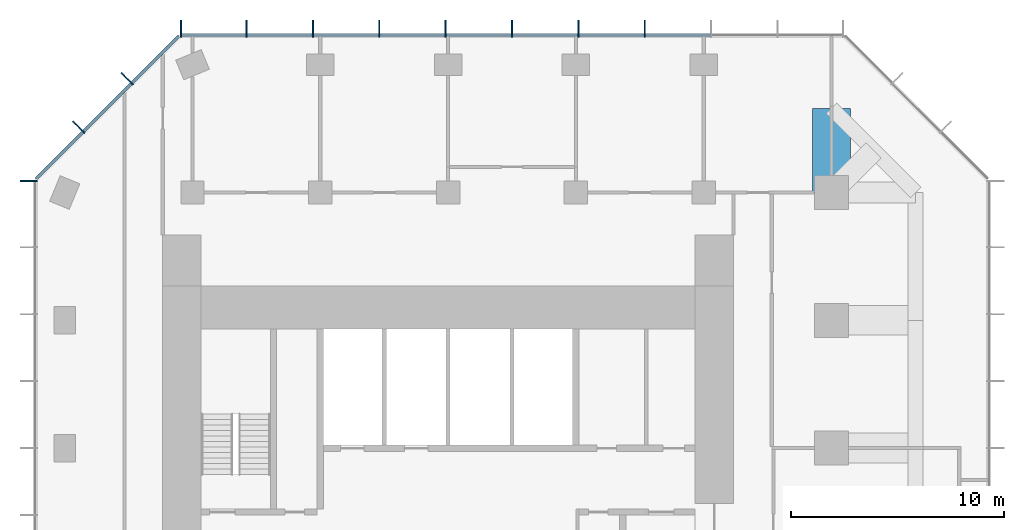
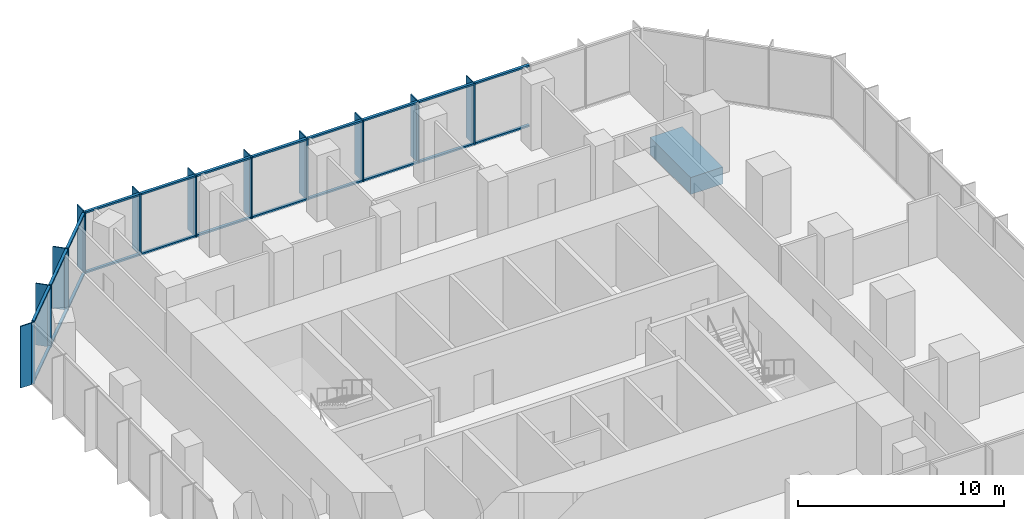
# One storey, part 5 of 10: 44 members, 1 beam, 3 elements without a shape of their own.
"""IFC4 building model written with IfcOpenShell, lengths in metres."""

from ifc_helpers import new_model, si_unit, direction, frame, origin, origin_2d, place, context, subcontext, project, spatial, rectangle, extrude, material, layer, layer_set, material_profile, profile_set, type_object, element, aggregate, save


model = new_model("IFC4")

# Units and contexts
model_context = context("Model", 3, precision=1e-05, world=origin(), true_north=direction((0.0, 1.0)))
body_context = subcontext(model_context, "Body", "Model", "MODEL_VIEW")
ifc_project = project(units=[si_unit("LENGTHUNIT", "METRE"), si_unit("AREAUNIT", "SQUARE_METRE"), si_unit("VOLUMEUNIT", "CUBIC_METRE"), si_unit("PLANEANGLEUNIT", "RADIAN"), si_unit("MASSUNIT", "GRAM", prefix="KILO")], contexts=[model_context])

# Site, building, storey
site_placement = place(None, origin())
site = spatial("IfcSite", under=ifc_project, at=site_placement, CompositionType="ELEMENT")
building_placement = place(site_placement, origin())
building = spatial("IfcBuilding", under=site, at=building_placement, Name="Highveld Stack Headquarters", CompositionType="ELEMENT")
storey_placement = place(building_placement, frame((0.0, 0.0, 245.0)))
storey = spatial("IfcBuildingStorey", under=building, at=storey_placement, Name="L60", CompositionType="ELEMENT", Elevation=245.0)

# Beam
ifc_material_1 = material(Name="Concrete C60/75", Category="concrete")
ifc_material_profile_1 = material_profile(ifc_material_1, rectangle(XDim=1.800048828125, YDim=1.0, at=origin_2d()), Name="RC 1800x1000")
ifc_profile_set_1 = profile_set([ifc_material_profile_1], Name="Concrete C60/75")
beam_type = type_object("IfcBeamType", Name="CANTILEVER RIB RC 1800x1000", PredefinedType="USERDEFINED", material=ifc_profile_set_1)
beam_placement = place(storey_placement, frame((24.0, 18.0, -0.75), z_axis=(0.0, 1.0, 0.0), x_axis=(-1.0, 0.0, 0.0)))
element("IfcBeam", 1, at=beam_placement, inside=storey, type_object=beam_type, Name="Cantilever rib 10/H L60", ObjectType="CANTILEVER RIB", PredefinedType="USERDEFINED", context=body_context, shape_type="SweptSolid", body=[
    extrude(rectangle(XDim=1.800048828125, YDim=1.0, at=origin_2d()), origin(), (0.0, 0.0, 1.0), 3.949951171875),
])

# Curtain wall, members
ifc_material_2 = material(Name="Aluminium bronze anodised", Category="aluminium")
ifc_layer = layer(ifc_material_2, 0.199951171875)
ifc_layer_set = layer_set([ifc_layer], Name="Aluminium bronze anodised")
curtain_wall_type = type_object("IfcCurtainWallType", Name="CW6 SKY LOBBY UNITISED CURTAIN WALL", PredefinedType="NOTDEFINED", material=ifc_layer_set)
curtain_wall_1_placement = place(storey_placement, origin())
curtain_wall_1 = element("IfcCurtainWall", 2, at=curtain_wall_1_placement, inside=storey, type_object=curtain_wall_type, Name="Curtain wall CW6 L60 N", PredefinedType="NOTDEFINED")
ifc_material_3 = material(Name="Aluminium bronze anodised", Category="aluminium")
ifc_material_profile_2 = material_profile(ifc_material_3, rectangle(XDim=0.60009765625, YDim=0.06005859375, at=origin_2d()), Name="FIN 600x60")
ifc_profile_set_2 = profile_set([ifc_material_profile_2], Name="Aluminium bronze anodised")
member_type_1 = type_object("IfcMemberType", Name="CW6 BRONZE FIN 600x60", PredefinedType="USERDEFINED", material=ifc_profile_set_2)
member_1_placement = place(storey_placement, frame((15.23193359375, 25.800048828125, 0.0), z_axis=(0.0, 0.0, 1.0), x_axis=(0.0, -1.0, 0.0)))
member_1 = element("IfcMember", 3, at=member_1_placement, type_object=member_type_1, Name="CW6 fin L60 4", ObjectType="FIN", PredefinedType="USERDEFINED", context=body_context, shape_type="SweptSolid", body=[
    extrude(rectangle(XDim=0.60009765625, YDim=0.06005859375, at=origin_2d()), origin(), (0.0, 0.0, 1.0), 3.64990234375),
])
member_2_placement = place(storey_placement, frame((12.115966796875, 25.800048828125, 0.0), z_axis=(0.0, 0.0, 1.0), x_axis=(0.0, -1.0, 0.0)))
member_2 = element("IfcMember", 4, at=member_2_placement, type_object=member_type_1, Name="CW6 fin L60 5", ObjectType="FIN", PredefinedType="USERDEFINED", context=body_context, shape_type="SweptSolid", body=[
    extrude(rectangle(XDim=0.60009765625, YDim=0.06005859375, at=origin_2d()), origin(), (0.0, 0.0, 1.0), 3.64990234375),
])
member_3_placement = place(storey_placement, frame((9.0, 25.800048828125, 0.0), z_axis=(0.0, 0.0, 1.0), x_axis=(0.0, -1.0, 0.0)))
member_3 = element("IfcMember", 5, at=member_3_placement, type_object=member_type_1, Name="CW6 fin L60 6", ObjectType="FIN", PredefinedType="USERDEFINED", context=body_context, shape_type="SweptSolid", body=[
    extrude(rectangle(XDim=0.60009765625, YDim=0.06005859375, at=origin_2d()), origin(), (0.0, 0.0, 1.0), 3.64990234375),
])
member_4_placement = place(storey_placement, frame((5.884033203125, 25.800048828125, 0.0), z_axis=(0.0, 0.0, 1.0), x_axis=(0.0, -1.0, 0.0)))
member_4 = element("IfcMember", 6, at=member_4_placement, type_object=member_type_1, Name="CW6 fin L60 7", ObjectType="FIN", PredefinedType="USERDEFINED", context=body_context, shape_type="SweptSolid", body=[
    extrude(rectangle(XDim=0.60009765625, YDim=0.06005859375, at=origin_2d()), origin(), (0.0, 0.0, 1.0), 3.64990234375),
])
member_5_placement = place(storey_placement, frame((2.76806640625, 25.800048828125, 0.0), z_axis=(0.0, 0.0, 1.0), x_axis=(0.0, -1.0, 0.0)))
member_5 = element("IfcMember", 7, at=member_5_placement, type_object=member_type_1, Name="CW6 fin L60 8", ObjectType="FIN", PredefinedType="USERDEFINED", context=body_context, shape_type="SweptSolid", body=[
    extrude(rectangle(XDim=0.60009765625, YDim=0.06005859375, at=origin_2d()), origin(), (0.0, 0.0, 1.0), 3.64990234375),
])
member_6_placement = place(storey_placement, frame((-0.347900390625, 25.800048828125, 0.0), z_axis=(0.0, 0.0, 1.0), x_axis=(0.0, -1.0, 0.0)))
member_6 = element("IfcMember", 8, at=member_6_placement, type_object=member_type_1, Name="CW6 fin L60 9", ObjectType="FIN", PredefinedType="USERDEFINED", context=body_context, shape_type="SweptSolid", body=[
    extrude(rectangle(XDim=0.60009765625, YDim=0.06005859375, at=origin_2d()), origin(), (0.0, 0.0, 1.0), 3.64990234375),
])
member_7_placement = place(storey_placement, frame((-3.4638671875, 25.800048828125, 0.0), z_axis=(0.0, 0.0, 1.0), x_axis=(0.0, -1.0, 0.0)))
member_7 = element("IfcMember", 9, at=member_7_placement, type_object=member_type_1, Name="CW6 fin L60 10", ObjectType="FIN", PredefinedType="USERDEFINED", context=body_context, shape_type="SweptSolid", body=[
    extrude(rectangle(XDim=0.60009765625, YDim=0.06005859375, at=origin_2d()), origin(), (0.0, 0.0, 1.0), 3.64990234375),
])
member_8_placement = place(storey_placement, frame((-6.54736328125, 25.800048828125, 0.0), z_axis=(0.0, 0.0, 1.0), x_axis=(0.0, -1.0, 0.0)))
member_8 = element("IfcMember", 10, at=member_8_placement, type_object=member_type_1, Name="CW6 fin L60 11", ObjectType="FIN", PredefinedType="USERDEFINED", context=body_context, shape_type="SweptSolid", body=[
    extrude(rectangle(XDim=0.60009765625, YDim=0.06005859375, at=origin_2d()), origin(), (0.0, 0.0, 1.0), 3.64990234375),
])

curtain_wall_2_placement = place(storey_placement, origin())
curtain_wall_2 = element("IfcCurtainWall", 11, at=curtain_wall_2_placement, inside=storey, type_object=curtain_wall_type, Name="Curtain wall CW6 L60 NW", PredefinedType="NOTDEFINED")
member_9_placement = place(storey_placement, frame((-9.135986328125, 23.409423828125, 0.0), z_axis=(0.0, 0.0, 1.0), x_axis=(0.707106781187, -0.707106781187, 0.0)))
member_9 = element("IfcMember", 12, at=member_9_placement, type_object=member_type_1, Name="CW6 fin L60 1", ObjectType="FIN", PredefinedType="USERDEFINED", context=body_context, shape_type="SweptSolid", body=[
    extrude(rectangle(XDim=0.60009765625, YDim=0.06005859375, at=origin_2d()), origin(), (0.0, 0.0, 1.0), 3.64990234375),
])
member_10_placement = place(storey_placement, frame((-11.409423828125, 21.135986328125, 0.0), z_axis=(0.0, 0.0, 1.0), x_axis=(0.707106781187, -0.707106781187, 0.0)))
member_10 = element("IfcMember", 13, at=member_10_placement, type_object=member_type_1, Name="CW6 fin L60 2", ObjectType="FIN", PredefinedType="USERDEFINED", context=body_context, shape_type="SweptSolid", body=[
    extrude(rectangle(XDim=0.60009765625, YDim=0.06005859375, at=origin_2d()), origin(), (0.0, 0.0, 1.0), 3.64990234375),
])

# Curtain wall, member
curtain_wall_3_placement = place(storey_placement, origin())
curtain_wall_3 = element("IfcCurtainWall", 14, at=curtain_wall_3_placement, inside=storey, type_object=curtain_wall_type, Name="Curtain wall CW6 L60 W", PredefinedType="NOTDEFINED")
member_11_placement = place(storey_placement, frame((-13.800048828125, 18.54736328125, 0.0), z_axis=(0.0, 0.0, 1.0), x_axis=(1.0, 0.0, 0.0)))
member_11 = element("IfcMember", 15, at=member_11_placement, type_object=member_type_1, Name="CW6 fin L60 1", ObjectType="FIN", PredefinedType="USERDEFINED", context=body_context, shape_type="SweptSolid", body=[
    extrude(rectangle(XDim=0.60009765625, YDim=0.06005859375, at=origin_2d()), origin(), (0.0, 0.0, 1.0), 3.64990234375),
])

# Member
ifc_material_4 = material(Name="Aluminium bronze anodised", Category="aluminium")
ifc_material_profile_3 = material_profile(ifc_material_4, rectangle(XDim=0.199951171875, YDim=0.06494140625, at=origin_2d()), Name="CW6 MULLION 65x200")
ifc_profile_set_3 = profile_set([ifc_material_profile_3], Name="Aluminium bronze anodised")
member_type_2 = type_object("IfcMemberType", Name="CW6 MULLION 65x200", PredefinedType="MULLION", material=ifc_profile_set_3)
member_12_placement = place(storey_placement, frame((15.23193359375, 25.39990234375, 0.0), z_axis=(0.0, 0.0, 1.0), x_axis=(0.0, -1.0, 0.0)))
member_12 = element("IfcMember", 16, at=member_12_placement, type_object=member_type_2, Name="CW6 mullion L60 4", PredefinedType="MULLION", context=body_context, shape_type="SweptSolid", body=[
    extrude(rectangle(XDim=0.199951171875, YDim=0.06494140625, at=origin_2d()), origin(), (0.0, 0.0, 1.0), 3.64990234375),
])

member_13_placement = place(storey_placement, frame((12.115966796875, 25.39990234375, 0.0), z_axis=(0.0, 0.0, 1.0), x_axis=(0.0, -1.0, 0.0)))
member_13 = element("IfcMember", 17, at=member_13_placement, type_object=member_type_2, Name="CW6 mullion L60 5", PredefinedType="MULLION", context=body_context, shape_type="SweptSolid", body=[
    extrude(rectangle(XDim=0.199951171875, YDim=0.06494140625, at=origin_2d()), origin(), (0.0, 0.0, 1.0), 3.64990234375),
])

member_14_placement = place(storey_placement, frame((9.0, 25.39990234375, 0.0), z_axis=(0.0, 0.0, 1.0), x_axis=(0.0, -1.0, 0.0)))
member_14 = element("IfcMember", 18, at=member_14_placement, type_object=member_type_2, Name="CW6 mullion L60 6", PredefinedType="MULLION", context=body_context, shape_type="SweptSolid", body=[
    extrude(rectangle(XDim=0.199951171875, YDim=0.06494140625, at=origin_2d()), origin(), (0.0, 0.0, 1.0), 3.64990234375),
])

member_15_placement = place(storey_placement, frame((5.884033203125, 25.39990234375, 0.0), z_axis=(0.0, 0.0, 1.0), x_axis=(0.0, -1.0, 0.0)))
member_15 = element("IfcMember", 19, at=member_15_placement, type_object=member_type_2, Name="CW6 mullion L60 7", PredefinedType="MULLION", context=body_context, shape_type="SweptSolid", body=[
    extrude(rectangle(XDim=0.199951171875, YDim=0.06494140625, at=origin_2d()), origin(), (0.0, 0.0, 1.0), 3.64990234375),
])

member_16_placement = place(storey_placement, frame((2.76806640625, 25.39990234375, 0.0), z_axis=(0.0, 0.0, 1.0), x_axis=(0.0, -1.0, 0.0)))
member_16 = element("IfcMember", 20, at=member_16_placement, type_object=member_type_2, Name="CW6 mullion L60 8", PredefinedType="MULLION", context=body_context, shape_type="SweptSolid", body=[
    extrude(rectangle(XDim=0.199951171875, YDim=0.06494140625, at=origin_2d()), origin(), (0.0, 0.0, 1.0), 3.64990234375),
])

member_17_placement = place(storey_placement, frame((-0.347900390625, 25.39990234375, 0.0), z_axis=(0.0, 0.0, 1.0), x_axis=(0.0, -1.0, 0.0)))
member_17 = element("IfcMember", 21, at=member_17_placement, type_object=member_type_2, Name="CW6 mullion L60 9", PredefinedType="MULLION", context=body_context, shape_type="SweptSolid", body=[
    extrude(rectangle(XDim=0.199951171875, YDim=0.06494140625, at=origin_2d()), origin(), (0.0, 0.0, 1.0), 3.64990234375),
])

member_18_placement = place(storey_placement, frame((-3.4638671875, 25.39990234375, 0.0), z_axis=(0.0, 0.0, 1.0), x_axis=(0.0, -1.0, 0.0)))
member_18 = element("IfcMember", 22, at=member_18_placement, type_object=member_type_2, Name="CW6 mullion L60 10", PredefinedType="MULLION", context=body_context, shape_type="SweptSolid", body=[
    extrude(rectangle(XDim=0.199951171875, YDim=0.06494140625, at=origin_2d()), origin(), (0.0, 0.0, 1.0), 3.64990234375),
])

member_19_placement = place(storey_placement, frame((-6.54736328125, 25.39990234375, 0.0), z_axis=(0.0, 0.0, 1.0), x_axis=(0.0, -1.0, 0.0)))
member_19 = element("IfcMember", 23, at=member_19_placement, type_object=member_type_2, Name="CW6 mullion L60 11", PredefinedType="MULLION", context=body_context, shape_type="SweptSolid", body=[
    extrude(rectangle(XDim=0.199951171875, YDim=0.06494140625, at=origin_2d()), origin(), (0.0, 0.0, 1.0), 3.64990234375),
])

member_20_placement = place(storey_placement, frame((-8.853271484375, 23.126708984375, 0.0), z_axis=(0.0, 0.0, 1.0), x_axis=(0.707106781187, -0.707106781187, 0.0)))
member_20 = element("IfcMember", 24, at=member_20_placement, type_object=member_type_2, Name="CW6 mullion L60 1", PredefinedType="MULLION", context=body_context, shape_type="SweptSolid", body=[
    extrude(rectangle(XDim=0.199951171875, YDim=0.06494140625, at=origin_2d()), origin(), (0.0, 0.0, 1.0), 3.64990234375),
])

member_21_placement = place(storey_placement, frame((-11.126708984375, 20.853271484375, 0.0), z_axis=(0.0, 0.0, 1.0), x_axis=(0.707106781187, -0.707106781187, 0.0)))
member_21 = element("IfcMember", 25, at=member_21_placement, type_object=member_type_2, Name="CW6 mullion L60 2", PredefinedType="MULLION", context=body_context, shape_type="SweptSolid", body=[
    extrude(rectangle(XDim=0.199951171875, YDim=0.06494140625, at=origin_2d()), origin(), (0.0, 0.0, 1.0), 3.64990234375),
])

member_22_placement = place(storey_placement, frame((-13.39990234375, 18.54736328125, 0.0), z_axis=(0.0, 0.0, 1.0), x_axis=(1.0, 0.0, 0.0)))
member_22 = element("IfcMember", 26, at=member_22_placement, type_object=member_type_2, Name="CW6 mullion L60 1", PredefinedType="MULLION", context=body_context, shape_type="SweptSolid", body=[
    extrude(rectangle(XDim=0.199951171875, YDim=0.06494140625, at=origin_2d()), origin(), (0.0, 0.0, 1.0), 3.64990234375),
])

aggregate(curtain_wall_3, [member_22, member_11])

ifc_material_5 = material(Name="Aluminium bronze anodised", Category="aluminium")
ifc_material_profile_4 = material_profile(ifc_material_5, rectangle(XDim=0.14990234375, YDim=0.10009765625, at=origin_2d()), Name="CW6 TRANSOM 150x100")
ifc_profile_set_4 = profile_set([ifc_material_profile_4], Name="Aluminium bronze anodised")
member_type_3 = type_object("IfcMemberType", Name="CW6 STACK TRANSOM 150x100", PredefinedType="USERDEFINED", material=ifc_profile_set_4)
member_23_placement = place(storey_placement, frame((18.3154296875, 25.39990234375, 0.050048828125), z_axis=(-1.0, 0.0, 0.0), x_axis=(0.0, -1.0, 0.0)))
member_23 = element("IfcMember", 27, at=member_23_placement, type_object=member_type_3, Name="CW6 transom L60 3.1", ObjectType="TRANSOM", PredefinedType="USERDEFINED", context=body_context, shape_type="SweptSolid", body=[
    extrude(rectangle(XDim=0.14990234375, YDim=0.10009765625, at=origin_2d()), origin(), (0.0, 0.0, 1.0), 3.051025390625),
])

member_24_placement = place(storey_placement, frame((18.3154296875, 25.39990234375, 3.60009765625), z_axis=(-1.0, 0.0, 0.0), x_axis=(0.0, -1.0, 0.0)))
member_24 = element("IfcMember", 28, at=member_24_placement, type_object=member_type_3, Name="CW6 transom L60 3.2", ObjectType="TRANSOM", PredefinedType="USERDEFINED", context=body_context, shape_type="SweptSolid", body=[
    extrude(rectangle(XDim=0.14990234375, YDim=0.10009765625, at=origin_2d()), origin(), (0.0, 0.0, 1.0), 3.051025390625),
])

member_25_placement = place(storey_placement, frame((15.199462890625, 25.39990234375, 0.050048828125), z_axis=(-1.0, 0.0, 0.0), x_axis=(0.0, -1.0, 0.0)))
member_25 = element("IfcMember", 29, at=member_25_placement, type_object=member_type_3, Name="CW6 transom L60 4.1", ObjectType="TRANSOM", PredefinedType="USERDEFINED", context=body_context, shape_type="SweptSolid", body=[
    extrude(rectangle(XDim=0.14990234375, YDim=0.10009765625, at=origin_2d()), origin(), (0.0, 0.0, 1.0), 3.051025390625),
])

member_26_placement = place(storey_placement, frame((15.199462890625, 25.39990234375, 3.60009765625), z_axis=(-1.0, 0.0, 0.0), x_axis=(0.0, -1.0, 0.0)))
member_26 = element("IfcMember", 30, at=member_26_placement, type_object=member_type_3, Name="CW6 transom L60 4.2", ObjectType="TRANSOM", PredefinedType="USERDEFINED", context=body_context, shape_type="SweptSolid", body=[
    extrude(rectangle(XDim=0.14990234375, YDim=0.10009765625, at=origin_2d()), origin(), (0.0, 0.0, 1.0), 3.051025390625),
])

member_27_placement = place(storey_placement, frame((12.08349609375, 25.39990234375, 0.050048828125), z_axis=(-1.0, 0.0, 0.0), x_axis=(0.0, -1.0, 0.0)))
member_27 = element("IfcMember", 31, at=member_27_placement, type_object=member_type_3, Name="CW6 transom L60 5.1", ObjectType="TRANSOM", PredefinedType="USERDEFINED", context=body_context, shape_type="SweptSolid", body=[
    extrude(rectangle(XDim=0.14990234375, YDim=0.10009765625, at=origin_2d()), origin(), (0.0, 0.0, 1.0), 3.051025390625),
])

member_28_placement = place(storey_placement, frame((12.08349609375, 25.39990234375, 3.60009765625), z_axis=(-1.0, 0.0, 0.0), x_axis=(0.0, -1.0, 0.0)))
member_28 = element("IfcMember", 32, at=member_28_placement, type_object=member_type_3, Name="CW6 transom L60 5.2", ObjectType="TRANSOM", PredefinedType="USERDEFINED", context=body_context, shape_type="SweptSolid", body=[
    extrude(rectangle(XDim=0.14990234375, YDim=0.10009765625, at=origin_2d()), origin(), (0.0, 0.0, 1.0), 3.051025390625),
])

member_29_placement = place(storey_placement, frame((8.967529296875, 25.39990234375, 0.050048828125), z_axis=(-1.0, 0.0, 0.0), x_axis=(0.0, -1.0, 0.0)))
member_29 = element("IfcMember", 33, at=member_29_placement, type_object=member_type_3, Name="CW6 transom L60 6.1", ObjectType="TRANSOM", PredefinedType="USERDEFINED", context=body_context, shape_type="SweptSolid", body=[
    extrude(rectangle(XDim=0.14990234375, YDim=0.10009765625, at=origin_2d()), origin(), (0.0, 0.0, 1.0), 3.051025390625),
])

member_30_placement = place(storey_placement, frame((8.967529296875, 25.39990234375, 3.60009765625), z_axis=(-1.0, 0.0, 0.0), x_axis=(0.0, -1.0, 0.0)))
member_30 = element("IfcMember", 34, at=member_30_placement, type_object=member_type_3, Name="CW6 transom L60 6.2", ObjectType="TRANSOM", PredefinedType="USERDEFINED", context=body_context, shape_type="SweptSolid", body=[
    extrude(rectangle(XDim=0.14990234375, YDim=0.10009765625, at=origin_2d()), origin(), (0.0, 0.0, 1.0), 3.051025390625),
])

member_31_placement = place(storey_placement, frame((5.8515625, 25.39990234375, 0.050048828125), z_axis=(-1.0, 0.0, 0.0), x_axis=(0.0, -1.0, 0.0)))
member_31 = element("IfcMember", 35, at=member_31_placement, type_object=member_type_3, Name="CW6 transom L60 7.1", ObjectType="TRANSOM", PredefinedType="USERDEFINED", context=body_context, shape_type="SweptSolid", body=[
    extrude(rectangle(XDim=0.14990234375, YDim=0.10009765625, at=origin_2d()), origin(), (0.0, 0.0, 1.0), 3.051025390625),
])

member_32_placement = place(storey_placement, frame((5.8515625, 25.39990234375, 3.60009765625), z_axis=(-1.0, 0.0, 0.0), x_axis=(0.0, -1.0, 0.0)))
member_32 = element("IfcMember", 36, at=member_32_placement, type_object=member_type_3, Name="CW6 transom L60 7.2", ObjectType="TRANSOM", PredefinedType="USERDEFINED", context=body_context, shape_type="SweptSolid", body=[
    extrude(rectangle(XDim=0.14990234375, YDim=0.10009765625, at=origin_2d()), origin(), (0.0, 0.0, 1.0), 3.051025390625),
])

member_33_placement = place(storey_placement, frame((2.735595703125, 25.39990234375, 0.050048828125), z_axis=(-1.0, 0.0, 0.0), x_axis=(0.0, -1.0, 0.0)))
member_33 = element("IfcMember", 37, at=member_33_placement, type_object=member_type_3, Name="CW6 transom L60 8.1", ObjectType="TRANSOM", PredefinedType="USERDEFINED", context=body_context, shape_type="SweptSolid", body=[
    extrude(rectangle(XDim=0.14990234375, YDim=0.10009765625, at=origin_2d()), origin(), (0.0, 0.0, 1.0), 3.051025390625),
])

member_34_placement = place(storey_placement, frame((2.735595703125, 25.39990234375, 3.60009765625), z_axis=(-1.0, 0.0, 0.0), x_axis=(0.0, -1.0, 0.0)))
member_34 = element("IfcMember", 38, at=member_34_placement, type_object=member_type_3, Name="CW6 transom L60 8.2", ObjectType="TRANSOM", PredefinedType="USERDEFINED", context=body_context, shape_type="SweptSolid", body=[
    extrude(rectangle(XDim=0.14990234375, YDim=0.10009765625, at=origin_2d()), origin(), (0.0, 0.0, 1.0), 3.051025390625),
])

member_35_placement = place(storey_placement, frame((-0.38037109375, 25.39990234375, 0.050048828125), z_axis=(-1.0, 0.0, 0.0), x_axis=(0.0, -1.0, 0.0)))
member_35 = element("IfcMember", 39, at=member_35_placement, type_object=member_type_3, Name="CW6 transom L60 9.1", ObjectType="TRANSOM", PredefinedType="USERDEFINED", context=body_context, shape_type="SweptSolid", body=[
    extrude(rectangle(XDim=0.14990234375, YDim=0.10009765625, at=origin_2d()), origin(), (0.0, 0.0, 1.0), 3.051025390625),
])

member_36_placement = place(storey_placement, frame((-0.38037109375, 25.39990234375, 3.60009765625), z_axis=(-1.0, 0.0, 0.0), x_axis=(0.0, -1.0, 0.0)))
member_36 = element("IfcMember", 40, at=member_36_placement, type_object=member_type_3, Name="CW6 transom L60 9.2", ObjectType="TRANSOM", PredefinedType="USERDEFINED", context=body_context, shape_type="SweptSolid", body=[
    extrude(rectangle(XDim=0.14990234375, YDim=0.10009765625, at=origin_2d()), origin(), (0.0, 0.0, 1.0), 3.051025390625),
])

member_37_placement = place(storey_placement, frame((-3.496337890625, 25.39990234375, 0.050048828125), z_axis=(-1.0, 0.0, 0.0), x_axis=(0.0, -1.0, 0.0)))
member_37 = element("IfcMember", 41, at=member_37_placement, type_object=member_type_3, Name="CW6 transom L60 10.1", ObjectType="TRANSOM", PredefinedType="USERDEFINED", context=body_context, shape_type="SweptSolid", body=[
    extrude(rectangle(XDim=0.14990234375, YDim=0.10009765625, at=origin_2d()), origin(), (0.0, 0.0, 1.0), 3.0185546875),
])

member_38_placement = place(storey_placement, frame((-3.496337890625, 25.39990234375, 3.60009765625), z_axis=(-1.0, 0.0, 0.0), x_axis=(0.0, -1.0, 0.0)))
member_38 = element("IfcMember", 42, at=member_38_placement, type_object=member_type_3, Name="CW6 transom L60 10.2", ObjectType="TRANSOM", PredefinedType="USERDEFINED", context=body_context, shape_type="SweptSolid", body=[
    extrude(rectangle(XDim=0.14990234375, YDim=0.10009765625, at=origin_2d()), origin(), (0.0, 0.0, 1.0), 3.0185546875),
])

aggregate(curtain_wall_1, [member_12, member_1, member_13, member_2, member_14, member_3, member_15, member_4, member_16, member_5, member_17, member_6, member_18, member_7, member_19, member_8, member_23, member_24, member_25, member_26, member_27, member_28, member_29, member_30, member_31, member_32, member_33, member_34, member_35, member_36, member_37, member_38])

member_39_placement = place(storey_placement, frame((-6.650634765625, 25.329345703125, 0.050048828125), z_axis=(-0.707106781187, -0.707106781187, 0.0), x_axis=(0.707106781187, -0.707106781187, 0.0)))
member_39 = element("IfcMember", 43, at=member_39_placement, type_object=member_type_3, Name="CW6 transom L60 1.1", ObjectType="TRANSOM", PredefinedType="USERDEFINED", context=body_context, shape_type="SweptSolid", body=[
    extrude(rectangle(XDim=0.14990234375, YDim=0.10009765625, at=origin_2d()), origin(), (0.0, 0.0, 1.0), 3.08251953125),
])

member_40_placement = place(storey_placement, frame((-6.650634765625, 25.329345703125, 3.60009765625), z_axis=(-0.707106781187, -0.707106781187, 0.0), x_axis=(0.707106781187, -0.707106781187, 0.0)))
member_40 = element("IfcMember", 44, at=member_40_placement, type_object=member_type_3, Name="CW6 transom L60 1.2", ObjectType="TRANSOM", PredefinedType="USERDEFINED", context=body_context, shape_type="SweptSolid", body=[
    extrude(rectangle(XDim=0.14990234375, YDim=0.10009765625, at=origin_2d()), origin(), (0.0, 0.0, 1.0), 3.08251953125),
])

member_41_placement = place(storey_placement, frame((-8.876220703125, 23.103759765625, 0.050048828125), z_axis=(-0.707106781187, -0.707106781187, 0.0), x_axis=(0.707106781187, -0.707106781187, 0.0)))
member_41 = element("IfcMember", 45, at=member_41_placement, type_object=member_type_3, Name="CW6 transom L60 2.1", ObjectType="TRANSOM", PredefinedType="USERDEFINED", context=body_context, shape_type="SweptSolid", body=[
    extrude(rectangle(XDim=0.14990234375, YDim=0.10009765625, at=origin_2d()), origin(), (0.0, 0.0, 1.0), 3.150146484375),
])

member_42_placement = place(storey_placement, frame((-8.876220703125, 23.103759765625, 3.60009765625), z_axis=(-0.707106781187, -0.707106781187, 0.0), x_axis=(0.707106781187, -0.707106781187, 0.0)))
member_42 = element("IfcMember", 46, at=member_42_placement, type_object=member_type_3, Name="CW6 transom L60 2.2", ObjectType="TRANSOM", PredefinedType="USERDEFINED", context=body_context, shape_type="SweptSolid", body=[
    extrude(rectangle(XDim=0.14990234375, YDim=0.10009765625, at=origin_2d()), origin(), (0.0, 0.0, 1.0), 3.150146484375),
])

member_43_placement = place(storey_placement, frame((-11.149658203125, 20.830322265625, 0.050048828125), z_axis=(-0.707106781187, -0.707106781187, 0.0), x_axis=(0.707106781187, -0.707106781187, 0.0)))
member_43 = element("IfcMember", 47, at=member_43_placement, type_object=member_type_3, Name="CW6 transom L60 3.1", ObjectType="TRANSOM", PredefinedType="USERDEFINED", context=body_context, shape_type="SweptSolid", body=[
    extrude(rectangle(XDim=0.14990234375, YDim=0.10009765625, at=origin_2d()), origin(), (0.0, 0.0, 1.0), 3.08251953125),
])

member_44_placement = place(storey_placement, frame((-11.149658203125, 20.830322265625, 3.60009765625), z_axis=(-0.707106781187, -0.707106781187, 0.0), x_axis=(0.707106781187, -0.707106781187, 0.0)))
member_44 = element("IfcMember", 48, at=member_44_placement, type_object=member_type_3, Name="CW6 transom L60 3.2", ObjectType="TRANSOM", PredefinedType="USERDEFINED", context=body_context, shape_type="SweptSolid", body=[
    extrude(rectangle(XDim=0.14990234375, YDim=0.10009765625, at=origin_2d()), origin(), (0.0, 0.0, 1.0), 3.08251953125),
])

aggregate(curtain_wall_2, [member_20, member_9, member_21, member_10, member_39, member_40, member_41, member_42, member_43, member_44])

save(model, "model.ifc")
